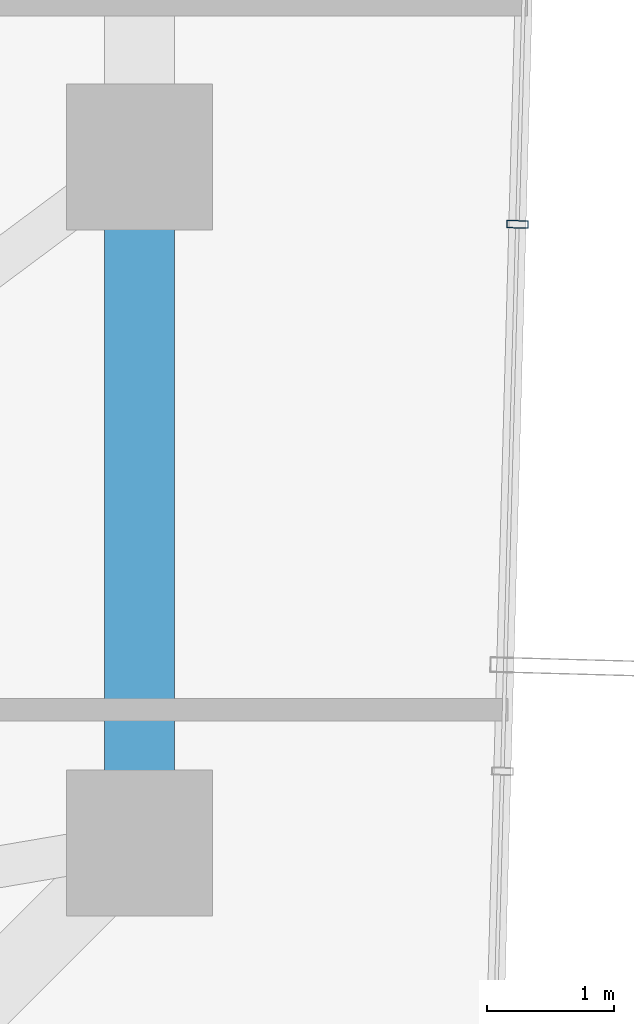
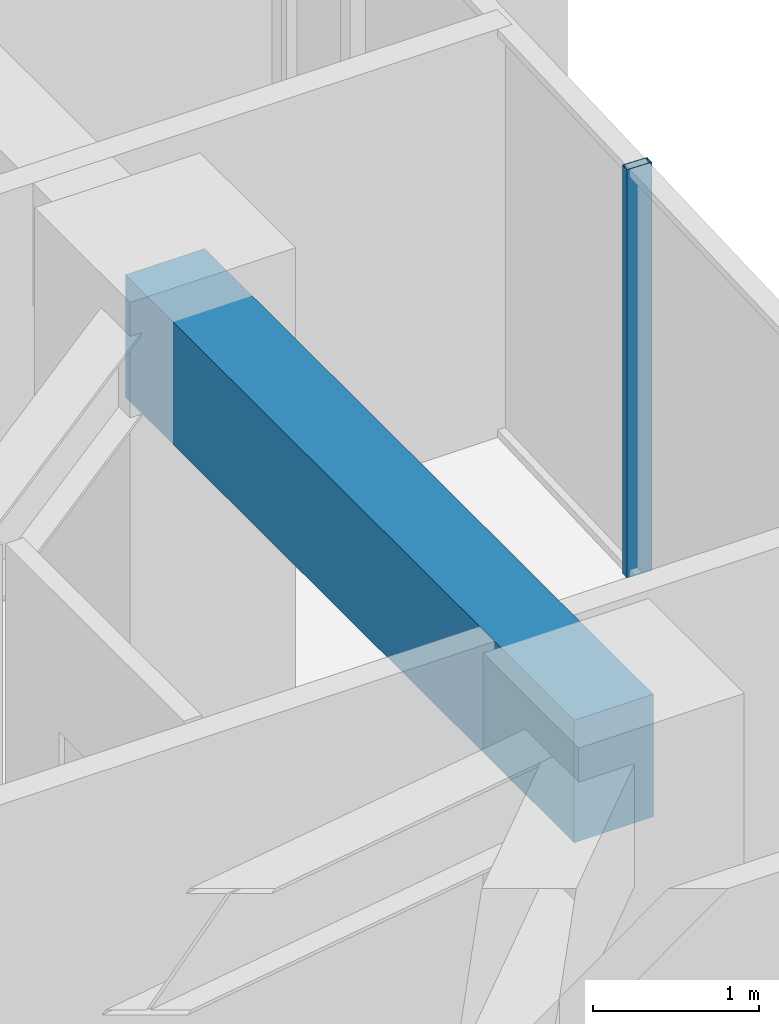
# One storey, part 14 of 30: 1 beam, 1 member, 1 element without a shape of its own.
"""IFC4 building model written with IfcOpenShell, lengths in metres."""

from ifc_helpers import new_model, si_unit, direction, frame, origin, origin_2d, place, context, subcontext, project, spatial, rectangle, hollow_rectangle, extrude, source, transform, mapped, material, layer, layer_set, material_profile, profile_set, type_object, element, aggregate, save


model = new_model("IFC4")

# Units and contexts
model_context = context("Model", 3, precision=1e-05, world=origin(), true_north=direction((0.0, 1.0)))
body_context = subcontext(model_context, "Body", "Model", "MODEL_VIEW")
ifc_project = project(units=[si_unit("LENGTHUNIT", "METRE"), si_unit("AREAUNIT", "SQUARE_METRE"), si_unit("VOLUMEUNIT", "CUBIC_METRE"), si_unit("PLANEANGLEUNIT", "RADIAN"), si_unit("MASSUNIT", "GRAM", prefix="KILO")], contexts=[model_context])

# Site, building, storey
site_placement = place(None, origin())
site = spatial("IfcSite", under=ifc_project, at=site_placement, CompositionType="ELEMENT")
building_placement = place(site_placement, origin())
building = spatial("IfcBuilding", under=site, at=building_placement, Name="Veraguas Prism Commons", CompositionType="ELEMENT")
storey_placement = place(building_placement, frame((0.0, 0.0, 123.0)))
storey = spatial("IfcBuildingStorey", under=building, at=storey_placement, Name="L34", CompositionType="ELEMENT", Elevation=123.0)

# Beam
ifc_material_1 = material(Name="Concrete C50/60", Category="concrete")
ifc_material_profile_1 = material_profile(ifc_material_1, rectangle(XDim=0.550048828125, YDim=0.89990234375, at=origin_2d()), Name="RC550X900")
ifc_profile_set_1 = profile_set([ifc_material_profile_1], Name="Concrete C50/60")
beam_type = type_object("IfcBeamType", Name="Perimeter Spandrel Lower RC 550x900", PredefinedType="SPANDREL", material=ifc_profile_set_1)
beam_placement = place(storey_placement, frame((40.199951171875, 18.60009765625, 2.550048828125), z_axis=(0.0, 1.0, 0.0), x_axis=(-1.0, 0.0, 0.0)))
element("IfcBeam", 1, at=beam_placement, inside=storey, type_object=beam_type, Name="Perimeter Spandrel Beam L34-SP01", PredefinedType="SPANDREL", context=body_context, shape_type="SweptSolid", body=[
    extrude(rectangle(XDim=0.550048828125, YDim=0.89990234375, at=origin_2d()), origin(), (0.0, 0.0, 1.0), 5.39990234375),
])

# Curtain wall, member
ifc_material_2 = material(Name="Anodised aluminium EN AW-6063 T6", Category="aluminium")
ifc_layer = layer(ifc_material_2, 0.169921875, Name="Unitised Flush Curtain Wall Zone 2", Category="aluminium")
ifc_layer_set = layer_set([ifc_layer], Name="Anodised aluminium EN AW-6063 T6")
curtain_wall_type = type_object("IfcCurtainWallType", Name="Unitised Flush Curtain Wall Zone 2", PredefinedType="NOTDEFINED", material=ifc_layer_set)
curtain_wall_placement = place(storey_placement, origin())
curtain_wall = element("IfcCurtainWall", 2, at=curtain_wall_placement, inside=storey, type_object=curtain_wall_type, Name="Tower Facade Curtain Wall L34-F6", PredefinedType="NOTDEFINED")
ifc_material_profile_2 = material_profile(ifc_material_2, hollow_rectangle(XDim=0.06005859375, YDim=0.169921875, WallThickness=0.00390625, at=origin_2d()), Name="AL60X170X4")
ifc_profile_set_2 = profile_set([ifc_material_profile_2], Name="Anodised aluminium EN AW-6063 T6")
member_type = type_object("IfcMemberType", Name="Curtain Wall Mullion Lower AL 60x170x4", PredefinedType="MULLION", material=ifc_profile_set_2)
shared_shape = source(origin(), body_context, "Body", "SweptSolid", [
    extrude(hollow_rectangle(XDim=0.06005859375, YDim=0.169921875, WallThickness=0.00390625, at=origin_2d()), origin(), (0.0, 0.0, 1.0), 3.0),
])
member_placement = place(storey_placement, frame((43.175048828125, 23.47119140625, 0.0), z_axis=(0.0, 0.0, 1.0), x_axis=(0.027567473277, 0.999619944988, 0.0)))
member = element("IfcMember", 3, at=member_placement, type_object=member_type, Name="CW-Z2 Mullion 3", PredefinedType="MULLION", context=body_context, shape_type="MappedRepresentation", body=[
    mapped(shared_shape, transform((0.0, 0.0, 0.0), scale=1.0)),
])
aggregate(curtain_wall, [member])

save(model, "model.ifc")
